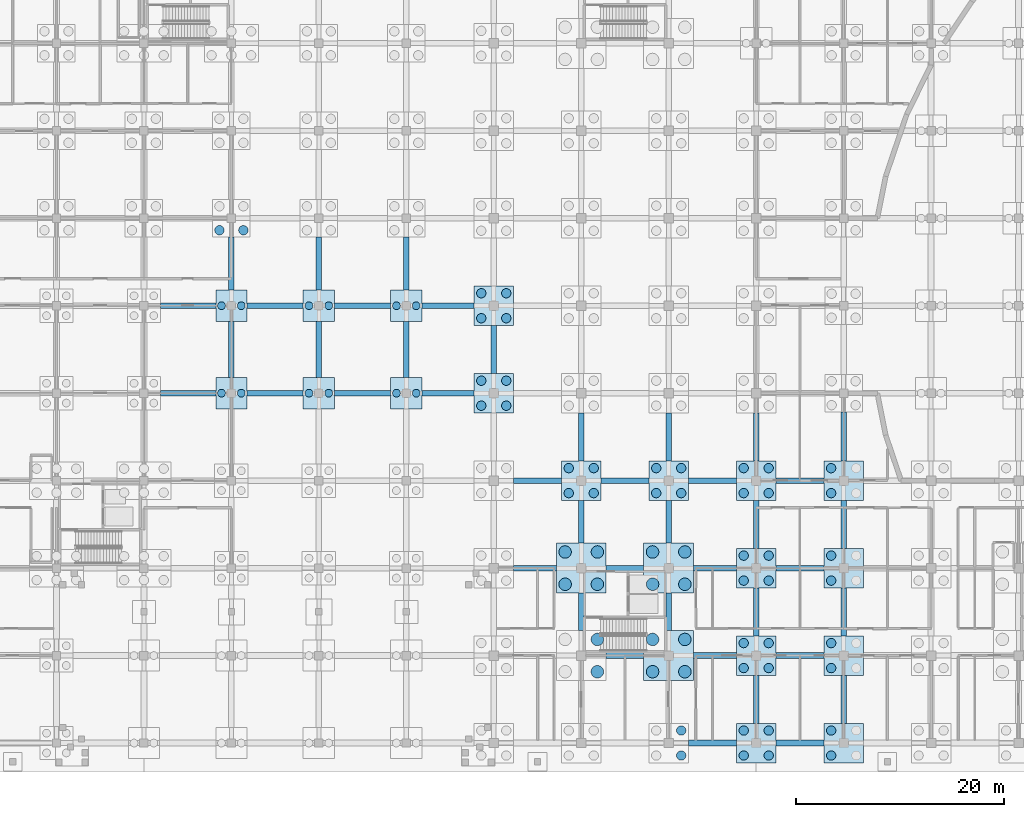
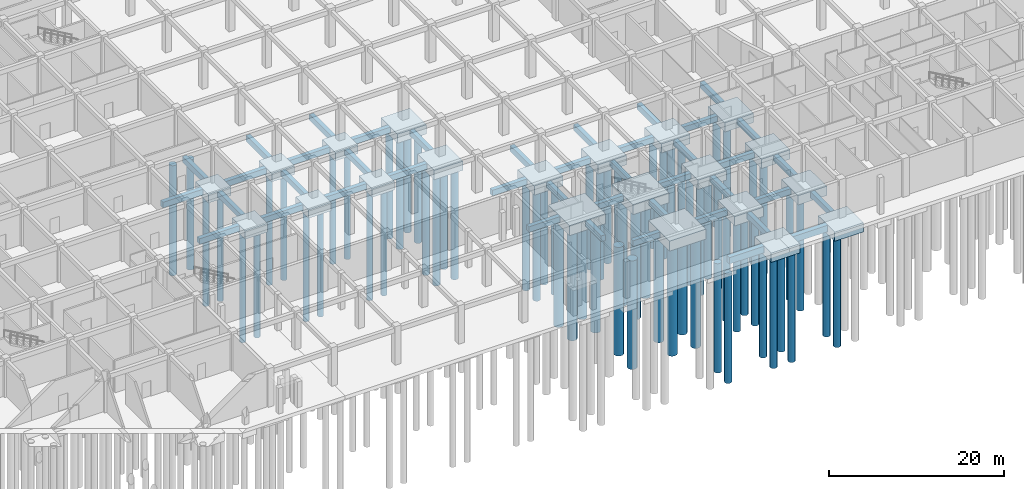
# One storey, part 5 of 65: 70 piles, 63 footings.
"""IFC4 building model written with IfcOpenShell, lengths in metres."""

from ifc_helpers import new_model, si_unit, direction, frame, origin, origin_2d, place, context, subcontext, project, spatial, rectangle, circle, extrude, material, material_profile, profile_set, type_object, element, save


model = new_model("IFC4")

# Units and contexts
model_context = context("Model", 3, precision=1e-05, world=origin(), true_north=direction((0.0, 1.0)))
body_context = subcontext(model_context, "Body", "Model", "MODEL_VIEW")
ifc_project = project(units=[si_unit("LENGTHUNIT", "METRE"), si_unit("AREAUNIT", "SQUARE_METRE"), si_unit("VOLUMEUNIT", "CUBIC_METRE"), si_unit("PLANEANGLEUNIT", "RADIAN"), si_unit("MASSUNIT", "GRAM", prefix="KILO")], contexts=[model_context])

# Site, building, storey
site_placement = place(None, origin())
site = spatial("IfcSite", under=ifc_project, at=site_placement, CompositionType="ELEMENT")
building_placement = place(site_placement, origin())
building = spatial("IfcBuilding", under=site, at=building_placement, Name="Bramfleet General Hospital", CompositionType="ELEMENT")
storey_placement = place(building_placement, frame((0.0, 0.0, -5.39990234375)))
storey = spatial("IfcBuildingStorey", under=building, at=storey_placement, Name="B1", CompositionType="ELEMENT", Elevation=-5.39990234375)

# Footings
ifc_material = material(Name="Concrete C35/45", Category="concrete")
ifc_material_profile_1 = material_profile(ifc_material, rectangle(XDim=0.550048828125, YDim=0.800048828125, at=origin_2d()), Name="RC FB 800x550")
ifc_profile_set_1 = profile_set([ifc_material_profile_1], Name="Concrete C35/45")
footing_type_1 = type_object("IfcFootingType", Name="FTG-FB-01", PredefinedType="FOOTING_BEAM", material=ifc_profile_set_1)
for number, where, z_axis, x_axis, name in (
    (1, (60.39990234375, 33.60009765625, -0.900146484375), (1.0, 0.0, 0.0), (0.0, 1.0, 0.0), "Foundation Tie Beam X 07-04"),
    (2, (60.39990234375, 42.0, -0.900146484375), (1.0, 0.0, 0.0), (0.0, 1.0, 0.0), "Foundation Tie Beam X 07-05"),
):
    element("IfcFooting", number, at=place(storey_placement, frame(where, z_axis=z_axis, x_axis=x_axis)), inside=storey, type_object=footing_type_1, Name=name, PredefinedType="FOOTING_BEAM", context=body_context, shape_type="SweptSolid", body=[
        extrude(rectangle(XDim=0.550048828125, YDim=0.800048828125, at=origin_2d()), origin(), (0.0, 0.0, 1.0), 5.300048828125),
    ])
footing_1_placement = place(storey_placement, frame((68.699951171875, 33.60009765625, -0.900146484375), z_axis=(1.0, 0.0, 0.0), x_axis=(0.0, 1.0, 0.0)))
element("IfcFooting", 3, at=footing_1_placement, inside=storey, type_object=footing_type_1, Name="Foundation Tie Beam X 08-04", PredefinedType="FOOTING_BEAM", context=body_context, shape_type="SweptSolid", body=[
    extrude(rectangle(XDim=0.550048828125, YDim=0.800048828125, at=origin_2d()), origin(), (0.0, 0.0, 1.0), 5.400146484375),
])
footing_2_placement = place(storey_placement, frame((67.199951171875, 35.10009765625, -0.900146484375), z_axis=(0.0, 1.0, 0.0), x_axis=(-1.0, 0.0, 0.0)))
element("IfcFooting", 4, at=footing_2_placement, inside=storey, type_object=footing_type_1, Name="Foundation Tie Beam Y 08-04", PredefinedType="FOOTING_BEAM", context=body_context, shape_type="SweptSolid", body=[
    extrude(rectangle(XDim=0.550048828125, YDim=0.800048828125, at=origin_2d()), origin(), (0.0, 0.0, 1.0), 5.39990234375),
])
footing_3_placement = place(storey_placement, frame((68.699951171875, 42.0, -0.900146484375), z_axis=(1.0, 0.0, 0.0), x_axis=(0.0, 1.0, 0.0)))
element("IfcFooting", 5, at=footing_3_placement, inside=storey, type_object=footing_type_1, Name="Foundation Tie Beam X 08-05", PredefinedType="FOOTING_BEAM", context=body_context, shape_type="SweptSolid", body=[
    extrude(rectangle(XDim=0.550048828125, YDim=0.800048828125, at=origin_2d()), origin(), (0.0, 0.0, 1.0), 5.400146484375),
])
footing_4_placement = place(storey_placement, frame((67.199951171875, 43.5, -0.900146484375), z_axis=(0.0, 1.0, 0.0), x_axis=(-1.0, 0.0, 0.0)))
element("IfcFooting", 6, at=footing_4_placement, inside=storey, type_object=footing_type_1, Name="Foundation Tie Beam Y 08-05", PredefinedType="FOOTING_BEAM", context=body_context, shape_type="SweptSolid", body=[
    extrude(rectangle(XDim=0.550048828125, YDim=0.800048828125, at=origin_2d()), origin(), (0.0, 0.0, 1.0), 5.10009765625),
])
for number, where, z_axis, x_axis, name in (
    (7, (77.10009765625, 33.60009765625, -0.900146484375), (1.0, 0.0, 0.0), (0.0, 1.0, 0.0), "Foundation Tie Beam X 09-04"),
    (8, (75.60009765625, 35.10009765625, -0.900146484375), (0.0, 1.0, 0.0), (-1.0, 0.0, 0.0), "Foundation Tie Beam Y 09-04"),
    (9, (77.10009765625, 42.0, -0.900146484375), (1.0, 0.0, 0.0), (0.0, 1.0, 0.0), "Foundation Tie Beam X 09-05"),
):
    element("IfcFooting", number, at=place(storey_placement, frame(where, z_axis=z_axis, x_axis=x_axis)), inside=storey, type_object=footing_type_1, Name=name, PredefinedType="FOOTING_BEAM", context=body_context, shape_type="SweptSolid", body=[
        extrude(rectangle(XDim=0.550048828125, YDim=0.800048828125, at=origin_2d()), origin(), (0.0, 0.0, 1.0), 5.39990234375),
    ])
footing_5_placement = place(storey_placement, frame((75.60009765625, 43.5, -0.900146484375), z_axis=(0.0, 1.0, 0.0), x_axis=(-1.0, 0.0, 0.0)))
element("IfcFooting", 10, at=footing_5_placement, inside=storey, type_object=footing_type_1, Name="Foundation Tie Beam Y 09-05", PredefinedType="FOOTING_BEAM", context=body_context, shape_type="SweptSolid", body=[
    extrude(rectangle(XDim=0.550048828125, YDim=0.800048828125, at=origin_2d()), origin(), (0.0, 0.0, 1.0), 5.10009765625),
])
footing_6_placement = place(storey_placement, frame((85.5, 33.60009765625, -0.900146484375), z_axis=(1.0, 0.0, 0.0), x_axis=(0.0, 1.0, 0.0)))
element("IfcFooting", 11, at=footing_6_placement, inside=storey, type_object=footing_type_1, Name="Foundation Tie Beam X 10-04", PredefinedType="FOOTING_BEAM", context=body_context, shape_type="SweptSolid", body=[
    extrude(rectangle(XDim=0.550048828125, YDim=0.800048828125, at=origin_2d()), origin(), (0.0, 0.0, 1.0), 5.0),
])
footing_7_placement = place(storey_placement, frame((84.0, 35.10009765625, -0.900146484375), z_axis=(0.0, 1.0, 0.0), x_axis=(-1.0, 0.0, 0.0)))
element("IfcFooting", 12, at=footing_7_placement, inside=storey, type_object=footing_type_1, Name="Foundation Tie Beam Y 10-04", PredefinedType="FOOTING_BEAM", context=body_context, shape_type="SweptSolid", body=[
    extrude(rectangle(XDim=0.550048828125, YDim=0.800048828125, at=origin_2d()), origin(), (0.0, 0.0, 1.0), 5.39990234375),
])
footing_8_placement = place(storey_placement, frame((85.5, 42.0, -0.900146484375), z_axis=(1.0, 0.0, 0.0), x_axis=(0.0, 1.0, 0.0)))
element("IfcFooting", 13, at=footing_8_placement, inside=storey, type_object=footing_type_1, Name="Foundation Tie Beam X 10-05", PredefinedType="FOOTING_BEAM", context=body_context, shape_type="SweptSolid", body=[
    extrude(rectangle(XDim=0.550048828125, YDim=0.800048828125, at=origin_2d()), origin(), (0.0, 0.0, 1.0), 5.0),
])
footing_9_placement = place(storey_placement, frame((84.0, 43.5, -0.900146484375), z_axis=(0.0, 1.0, 0.0), x_axis=(-1.0, 0.0, 0.0)))
element("IfcFooting", 14, at=footing_9_placement, inside=storey, type_object=footing_type_1, Name="Foundation Tie Beam Y 10-05", PredefinedType="FOOTING_BEAM", context=body_context, shape_type="SweptSolid", body=[
    extrude(rectangle(XDim=0.550048828125, YDim=0.800048828125, at=origin_2d()), origin(), (0.0, 0.0, 1.0), 5.10009765625),
])
footing_10_placement = place(storey_placement, frame((94.300048828125, 16.800048828125, -0.900146484375), z_axis=(1.0, 0.0, 0.0), x_axis=(0.0, 1.0, 0.0)))
element("IfcFooting", 15, at=footing_10_placement, inside=storey, type_object=footing_type_1, Name="Foundation Tie Beam X 11-02", PredefinedType="FOOTING_BEAM", context=body_context, shape_type="SweptSolid", body=[
    extrude(rectangle(XDim=0.550048828125, YDim=0.800048828125, at=origin_2d()), origin(), (0.0, 0.0, 1.0), 4.099853515625),
])
footing_11_placement = place(storey_placement, frame((94.300048828125, 25.199951171875, -0.900146484375), z_axis=(1.0, 0.0, 0.0), x_axis=(0.0, 1.0, 0.0)))
element("IfcFooting", 16, at=footing_11_placement, inside=storey, type_object=footing_type_1, Name="Foundation Tie Beam X 11-03", PredefinedType="FOOTING_BEAM", context=body_context, shape_type="SweptSolid", body=[
    extrude(rectangle(XDim=0.550048828125, YDim=0.800048828125, at=origin_2d()), origin(), (0.0, 0.0, 1.0), 4.599853515625),
])
footing_12_placement = place(storey_placement, frame((92.39990234375, 35.5, -0.900146484375), z_axis=(0.0, 1.0, 0.0), x_axis=(-1.0, 0.0, 0.0)))
element("IfcFooting", 17, at=footing_12_placement, inside=storey, type_object=footing_type_1, Name="Foundation Tie Beam Y 11-04", PredefinedType="FOOTING_BEAM", context=body_context, shape_type="SweptSolid", body=[
    extrude(rectangle(XDim=0.550048828125, YDim=0.800048828125, at=origin_2d()), origin(), (0.0, 0.0, 1.0), 4.60009765625),
])
footing_13_placement = place(storey_placement, frame((103.199951171875, 8.39990234375, -0.900146484375), z_axis=(1.0, 0.0, 0.0), x_axis=(0.0, 1.0, 0.0)))
element("IfcFooting", 18, at=footing_13_placement, inside=storey, type_object=footing_type_1, Name="Foundation Tie Beam X 12-01", PredefinedType="FOOTING_BEAM", context=body_context, shape_type="SweptSolid", body=[
    extrude(rectangle(XDim=0.550048828125, YDim=0.800048828125, at=origin_2d()), origin(), (0.0, 0.0, 1.0), 3.60009765625),
])
footing_14_placement = place(storey_placement, frame((100.800048828125, 10.800048828125, -0.900146484375), z_axis=(0.0, 1.0, 0.0), x_axis=(-1.0, 0.0, 0.0)))
element("IfcFooting", 19, at=footing_14_placement, inside=storey, type_object=footing_type_1, Name="Foundation Tie Beam Y 12-01", PredefinedType="FOOTING_BEAM", context=body_context, shape_type="SweptSolid", body=[
    extrude(rectangle(XDim=0.550048828125, YDim=0.800048828125, at=origin_2d()), origin(), (0.0, 0.0, 1.0), 3.599853515625),
])
footing_15_placement = place(storey_placement, frame((103.199951171875, 16.800048828125, -0.900146484375), z_axis=(1.0, 0.0, 0.0), x_axis=(0.0, 1.0, 0.0)))
element("IfcFooting", 20, at=footing_15_placement, inside=storey, type_object=footing_type_1, Name="Foundation Tie Beam X 12-02", PredefinedType="FOOTING_BEAM", context=body_context, shape_type="SweptSolid", body=[
    extrude(rectangle(XDim=0.550048828125, YDim=0.800048828125, at=origin_2d()), origin(), (0.0, 0.0, 1.0), 3.60009765625),
])
footing_16_placement = place(storey_placement, frame((100.800048828125, 19.199951171875, -0.900146484375), z_axis=(0.0, 1.0, 0.0), x_axis=(-1.0, 0.0, 0.0)))
element("IfcFooting", 21, at=footing_16_placement, inside=storey, type_object=footing_type_1, Name="Foundation Tie Beam Y 12-02", PredefinedType="FOOTING_BEAM", context=body_context, shape_type="SweptSolid", body=[
    extrude(rectangle(XDim=0.550048828125, YDim=0.800048828125, at=origin_2d()), origin(), (0.0, 0.0, 1.0), 4.10009765625),
])
footing_17_placement = place(storey_placement, frame((102.699951171875, 25.199951171875, -0.900146484375), z_axis=(1.0, 0.0, 0.0), x_axis=(0.0, 1.0, 0.0)))
element("IfcFooting", 22, at=footing_17_placement, inside=storey, type_object=footing_type_1, Name="Foundation Tie Beam X 12-03", PredefinedType="FOOTING_BEAM", context=body_context, shape_type="SweptSolid", body=[
    extrude(rectangle(XDim=0.550048828125, YDim=0.800048828125, at=origin_2d()), origin(), (0.0, 0.0, 1.0), 4.60009765625),
])
footing_18_placement = place(storey_placement, frame((100.800048828125, 27.10009765625, -0.900146484375), z_axis=(0.0, 1.0, 0.0), x_axis=(-1.0, 0.0, 0.0)))
element("IfcFooting", 23, at=footing_18_placement, inside=storey, type_object=footing_type_1, Name="Foundation Tie Beam Y 12-03", PredefinedType="FOOTING_BEAM", context=body_context, shape_type="SweptSolid", body=[
    extrude(rectangle(XDim=0.550048828125, YDim=0.800048828125, at=origin_2d()), origin(), (0.0, 0.0, 1.0), 4.599853515625),
])
footing_19_placement = place(storey_placement, frame((111.60009765625, 8.39990234375, -0.900146484375), z_axis=(1.0, 0.0, 0.0), x_axis=(0.0, 1.0, 0.0)))
element("IfcFooting", 24, at=footing_19_placement, inside=storey, type_object=footing_type_1, Name="Foundation Tie Beam X 13-01", PredefinedType="FOOTING_BEAM", context=body_context, shape_type="SweptSolid", body=[
    extrude(rectangle(XDim=0.550048828125, YDim=0.800048828125, at=origin_2d()), origin(), (0.0, 0.0, 1.0), 4.099853515625),
])
footing_20_placement = place(storey_placement, frame((109.199951171875, 10.800048828125, -0.900146484375), z_axis=(0.0, 1.0, 0.0), x_axis=(-1.0, 0.0, 0.0)))
element("IfcFooting", 25, at=footing_20_placement, inside=storey, type_object=footing_type_1, Name="Foundation Tie Beam Y 13-01", PredefinedType="FOOTING_BEAM", context=body_context, shape_type="SweptSolid", body=[
    extrude(rectangle(XDim=0.550048828125, YDim=0.800048828125, at=origin_2d()), origin(), (0.0, 0.0, 1.0), 3.599853515625),
])
footing_21_placement = place(storey_placement, frame((111.60009765625, 16.800048828125, -0.900146484375), z_axis=(1.0, 0.0, 0.0), x_axis=(0.0, 1.0, 0.0)))
element("IfcFooting", 26, at=footing_21_placement, inside=storey, type_object=footing_type_1, Name="Foundation Tie Beam X 13-02", PredefinedType="FOOTING_BEAM", context=body_context, shape_type="SweptSolid", body=[
    extrude(rectangle(XDim=0.550048828125, YDim=0.800048828125, at=origin_2d()), origin(), (0.0, 0.0, 1.0), 4.099853515625),
])
footing_22_placement = place(storey_placement, frame((109.199951171875, 19.199951171875, -0.900146484375), z_axis=(0.0, 1.0, 0.0), x_axis=(-1.0, 0.0, 0.0)))
element("IfcFooting", 27, at=footing_22_placement, inside=storey, type_object=footing_type_1, Name="Foundation Tie Beam Y 13-02", PredefinedType="FOOTING_BEAM", context=body_context, shape_type="SweptSolid", body=[
    extrude(rectangle(XDim=0.550048828125, YDim=0.800048828125, at=origin_2d()), origin(), (0.0, 0.0, 1.0), 4.10009765625),
])
for number, where, z_axis, x_axis, name in (
    (28, (111.10009765625, 25.199951171875, -0.900146484375), (1.0, 0.0, 0.0), (0.0, 1.0, 0.0), "Foundation Tie Beam X 13-03"),
    (29, (109.199951171875, 27.10009765625, -0.900146484375), (0.0, 1.0, 0.0), (-1.0, 0.0, 0.0), "Foundation Tie Beam Y 13-03"),
):
    element("IfcFooting", number, at=place(storey_placement, frame(where, z_axis=z_axis, x_axis=x_axis)), inside=storey, type_object=footing_type_1, Name=name, PredefinedType="FOOTING_BEAM", context=body_context, shape_type="SweptSolid", body=[
        extrude(rectangle(XDim=0.550048828125, YDim=0.800048828125, at=origin_2d()), origin(), (0.0, 0.0, 1.0), 4.599853515625),
    ])
for number, where, z_axis, x_axis, name in (
    (30, (117.60009765625, 1.89990234375, -0.900146484375), (0.0, 1.0, 0.0), (-1.0, 0.0, 0.0), "Foundation Tie Beam Y 14-00"),
    (31, (119.5, 8.39990234375, -0.900146484375), (1.0, 0.0, 0.0), (0.0, 1.0, 0.0), "Foundation Tie Beam X 14-01"),
):
    element("IfcFooting", number, at=place(storey_placement, frame(where, z_axis=z_axis, x_axis=x_axis)), inside=storey, type_object=footing_type_1, Name=name, PredefinedType="FOOTING_BEAM", context=body_context, shape_type="SweptSolid", body=[
        extrude(rectangle(XDim=0.550048828125, YDim=0.800048828125, at=origin_2d()), origin(), (0.0, 0.0, 1.0), 4.60009765625),
    ])
footing_23_placement = place(storey_placement, frame((117.60009765625, 10.300048828125, -0.900146484375), z_axis=(0.0, 1.0, 0.0), x_axis=(-1.0, 0.0, 0.0)))
element("IfcFooting", 32, at=footing_23_placement, inside=storey, type_object=footing_type_1, Name="Foundation Tie Beam Y 14-01", PredefinedType="FOOTING_BEAM", context=body_context, shape_type="SweptSolid", body=[
    extrude(rectangle(XDim=0.550048828125, YDim=0.800048828125, at=origin_2d()), origin(), (0.0, 0.0, 1.0), 4.599853515625),
])
for number, where, z_axis, x_axis, name in (
    (33, (119.5, 16.800048828125, -0.900146484375), (1.0, 0.0, 0.0), (0.0, 1.0, 0.0), "Foundation Tie Beam X 14-02"),
    (34, (117.60009765625, 18.699951171875, -0.900146484375), (0.0, 1.0, 0.0), (-1.0, 0.0, 0.0), "Foundation Tie Beam Y 14-02"),
    (35, (119.5, 25.199951171875, -0.900146484375), (1.0, 0.0, 0.0), (0.0, 1.0, 0.0), "Foundation Tie Beam X 14-03"),
):
    element("IfcFooting", number, at=place(storey_placement, frame(where, z_axis=z_axis, x_axis=x_axis)), inside=storey, type_object=footing_type_1, Name=name, PredefinedType="FOOTING_BEAM", context=body_context, shape_type="SweptSolid", body=[
        extrude(rectangle(XDim=0.550048828125, YDim=0.800048828125, at=origin_2d()), origin(), (0.0, 0.0, 1.0), 4.60009765625),
    ])
footing_24_placement = place(storey_placement, frame((117.60009765625, 27.10009765625, -0.900146484375), z_axis=(0.0, 1.0, 0.0), x_axis=(-1.0, 0.0, 0.0)))
element("IfcFooting", 36, at=footing_24_placement, inside=storey, type_object=footing_type_1, Name="Foundation Tie Beam Y 14-03", PredefinedType="FOOTING_BEAM", context=body_context, shape_type="SweptSolid", body=[
    extrude(rectangle(XDim=0.550048828125, YDim=0.800048828125, at=origin_2d()), origin(), (0.0, 0.0, 1.0), 4.599853515625),
])
footing_25_placement = place(storey_placement, frame((126.0, 1.89990234375, -0.900146484375), z_axis=(0.0, 1.0, 0.0), x_axis=(-1.0, 0.0, 0.0)))
element("IfcFooting", 37, at=footing_25_placement, inside=storey, type_object=footing_type_1, Name="Foundation Tie Beam Y 15-00", PredefinedType="FOOTING_BEAM", context=body_context, shape_type="SweptSolid", body=[
    extrude(rectangle(XDim=0.550048828125, YDim=0.800048828125, at=origin_2d()), origin(), (0.0, 0.0, 1.0), 4.60009765625),
])
footing_26_placement = place(storey_placement, frame((126.0, 10.300048828125, -0.900146484375), z_axis=(0.0, 1.0, 0.0), x_axis=(-1.0, 0.0, 0.0)))
element("IfcFooting", 38, at=footing_26_placement, inside=storey, type_object=footing_type_1, Name="Foundation Tie Beam Y 15-01", PredefinedType="FOOTING_BEAM", context=body_context, shape_type="SweptSolid", body=[
    extrude(rectangle(XDim=0.550048828125, YDim=0.800048828125, at=origin_2d()), origin(), (0.0, 0.0, 1.0), 4.599853515625),
])
footing_27_placement = place(storey_placement, frame((126.0, 18.699951171875, -0.900146484375), z_axis=(0.0, 1.0, 0.0), x_axis=(-1.0, 0.0, 0.0)))
element("IfcFooting", 39, at=footing_27_placement, inside=storey, type_object=footing_type_1, Name="Foundation Tie Beam Y 15-02", PredefinedType="FOOTING_BEAM", context=body_context, shape_type="SweptSolid", body=[
    extrude(rectangle(XDim=0.550048828125, YDim=0.800048828125, at=origin_2d()), origin(), (0.0, 0.0, 1.0), 4.60009765625),
])
footing_28_placement = place(storey_placement, frame((126.0, 27.10009765625, -0.900146484375), z_axis=(0.0, 1.0, 0.0), x_axis=(-1.0, 0.0, 0.0)))
element("IfcFooting", 40, at=footing_28_placement, inside=storey, type_object=footing_type_1, Name="Foundation Tie Beam Y 15-03", PredefinedType="FOOTING_BEAM", context=body_context, shape_type="SweptSolid", body=[
    extrude(rectangle(XDim=0.550048828125, YDim=0.800048828125, at=origin_2d()), origin(), (0.0, 0.0, 1.0), 4.699951171875),
])
ifc_material_profile_2 = material_profile(ifc_material, rectangle(XDim=0.60009765625, YDim=0.89990234375, at=origin_2d()), Name="RC FB 900x600")
ifc_profile_set_2 = profile_set([ifc_material_profile_2], Name="Concrete C35/45")
footing_type_2 = type_object("IfcFootingType", Name="FTG-FB-02", PredefinedType="FOOTING_BEAM", material=ifc_profile_set_2)
footing_29_placement = place(storey_placement, frame((111.10009765625, 0.0, -0.9501953125), z_axis=(1.0, 0.0, 0.0), x_axis=(0.0, 1.0, 0.0)))
element("IfcFooting", 41, at=footing_29_placement, inside=storey, type_object=footing_type_2, Name="Foundation Tie Beam X 13-00", PredefinedType="FOOTING_BEAM", context=body_context, shape_type="SweptSolid", body=[
    extrude(rectangle(XDim=0.60009765625, YDim=0.89990234375, at=origin_2d()), origin(), (0.0, 0.0, 1.0), 4.599853515625),
])
footing_30_placement = place(storey_placement, frame((119.5, 0.0, -0.9501953125), z_axis=(1.0, 0.0, 0.0), x_axis=(0.0, 1.0, 0.0)))
element("IfcFooting", 42, at=footing_30_placement, inside=storey, type_object=footing_type_2, Name="Foundation Tie Beam X 14-00", PredefinedType="FOOTING_BEAM", context=body_context, shape_type="SweptSolid", body=[
    extrude(rectangle(XDim=0.60009765625, YDim=0.89990234375, at=origin_2d()), origin(), (0.0, 0.0, 1.0), 4.60009765625),
])
footing_type_3 = type_object("IfcFootingType", Name="FTG-PC-01", PredefinedType="PILE_CAP", material=ifc_material)
for number, where, z_axis, x_axis, name in (
    (43, (67.199951171875, 33.60009765625, -1.7001953125), (0.0, 0.0, 1.0), (1.0, 0.0, 0.0), "Pile Cap FTG-B1-08-04"),
    (44, (67.199951171875, 42.0, -1.7001953125), (0.0, 0.0, 1.0), (1.0, 0.0, 0.0), "Pile Cap FTG-B1-08-05"),
    (45, (75.60009765625, 33.60009765625, -1.7001953125), (0.0, 0.0, 1.0), (1.0, 0.0, 0.0), "Pile Cap FTG-B1-09-04"),
    (46, (75.60009765625, 42.0, -1.7001953125), (0.0, 0.0, 1.0), (1.0, 0.0, 0.0), "Pile Cap FTG-B1-09-05"),
    (47, (84.0, 33.60009765625, -1.7001953125), (0.0, 0.0, 1.0), (1.0, 0.0, 0.0), "Pile Cap FTG-B1-10-04"),
    (48, (84.0, 42.0, -1.7001953125), (0.0, 0.0, 1.0), (1.0, 0.0, 0.0), "Pile Cap FTG-B1-10-05"),
):
    element("IfcFooting", number, at=place(storey_placement, frame(where, z_axis=z_axis, x_axis=x_axis)), inside=storey, type_object=footing_type_3, Name=name, PredefinedType="PILE_CAP", context=body_context, shape_type="SweptSolid", body=[
        extrude(rectangle(XDim=3.0, YDim=3.0, at=origin_2d()), origin(), (0.0, 0.0, 1.0), 1.199951171875),
    ])
footing_type_4 = type_object("IfcFootingType", Name="FTG-PC-04", PredefinedType="PILE_CAP", material=ifc_material)
for number, where, z_axis, x_axis, name in (
    (49, (92.39990234375, 33.60009765625, -1.80029296875), (0.0, 0.0, 1.0), (1.0, 0.0, 0.0), "Pile Cap FTG-B1-11-04"),
    (50, (92.39990234375, 42.0, -1.80029296875), (0.0, 0.0, 1.0), (1.0, 0.0, 0.0), "Pile Cap FTG-B1-11-05"),
    (51, (100.800048828125, 25.199951171875, -1.80029296875), (0.0, 0.0, 1.0), (1.0, 0.0, 0.0), "Pile Cap FTG-B1-12-03"),
    (52, (109.199951171875, 25.199951171875, -1.80029296875), (0.0, 0.0, 1.0), (1.0, 0.0, 0.0), "Pile Cap FTG-B1-13-03"),
    (53, (117.60009765625, 0.0, -1.80029296875), (0.0, 0.0, 1.0), (1.0, 0.0, 0.0), "Pile Cap FTG-B1-14-00"),
    (54, (117.60009765625, 8.39990234375, -1.80029296875), (0.0, 0.0, 1.0), (1.0, 0.0, 0.0), "Pile Cap FTG-B1-14-01"),
    (55, (117.60009765625, 16.800048828125, -1.80029296875), (0.0, 0.0, 1.0), (1.0, 0.0, 0.0), "Pile Cap FTG-B1-14-02"),
    (56, (117.60009765625, 25.199951171875, -1.80029296875), (0.0, 0.0, 1.0), (1.0, 0.0, 0.0), "Pile Cap FTG-B1-14-03"),
    (57, (126.0, 0.0, -1.80029296875), (0.0, 0.0, 1.0), (1.0, 0.0, 0.0), "Pile Cap FTG-B1-15-00"),
    (58, (126.0, 8.39990234375, -1.80029296875), (0.0, 0.0, 1.0), (1.0, 0.0, 0.0), "Pile Cap FTG-B1-15-01"),
    (59, (126.0, 16.800048828125, -1.80029296875), (0.0, 0.0, 1.0), (1.0, 0.0, 0.0), "Pile Cap FTG-B1-15-02"),
    (60, (126.0, 25.199951171875, -1.80029296875), (0.0, 0.0, 1.0), (1.0, 0.0, 0.0), "Pile Cap FTG-B1-15-03"),
):
    element("IfcFooting", number, at=place(storey_placement, frame(where, z_axis=z_axis, x_axis=x_axis)), inside=storey, type_object=footing_type_4, Name=name, PredefinedType="PILE_CAP", context=body_context, shape_type="SweptSolid", body=[
        extrude(rectangle(XDim=3.800048828125, YDim=3.800048828125, at=origin_2d()), origin(), (0.0, 0.0, 1.0), 1.300048828125),
    ])
footing_type_5 = type_object("IfcFootingType", Name="FTG-PC-05", PredefinedType="PILE_CAP", material=ifc_material)
for number, where, z_axis, x_axis, name in (
    (61, (100.800048828125, 16.800048828125, -1.900146484375), (0.0, 0.0, 1.0), (1.0, 0.0, 0.0), "Pile Cap FTG-B1-12-02"),
    (62, (109.199951171875, 8.39990234375, -1.900146484375), (0.0, 0.0, 1.0), (1.0, 0.0, 0.0), "Pile Cap FTG-B1-13-01"),
    (63, (109.199951171875, 16.800048828125, -1.900146484375), (0.0, 0.0, 1.0), (1.0, 0.0, 0.0), "Pile Cap FTG-B1-13-02"),
):
    element("IfcFooting", number, at=place(storey_placement, frame(where, z_axis=z_axis, x_axis=x_axis)), inside=storey, type_object=footing_type_5, Name=name, PredefinedType="PILE_CAP", context=body_context, shape_type="SweptSolid", body=[
        extrude(rectangle(XDim=4.800048828125, YDim=4.800048828125, at=origin_2d()), origin(), (0.0, 0.0, 1.0), 1.39990234375),
    ])

# Piles
ifc_material_profile_3 = material_profile(ifc_material, circle(Radius=0.60009765625, at=origin_2d()), Name="PILE BORED D1200")
ifc_profile_set_3 = profile_set([ifc_material_profile_3], Name="Concrete C35/45")
pile_type_1 = type_object("IfcPileType", Name="PILE-D1200", PredefinedType="BORED", material=ifc_profile_set_3)
for number, where, z_axis, x_axis, name in (
    (64, (102.35009765625, 6.85009765625, -1.800048828125), (0.0, 0.0, -1.0), (1.0, 0.0, 0.0), "Bored Pile PILE-B1-12-01-2"),
    (65, (102.35009765625, 9.949951171875, -1.800048828125), (0.0, 0.0, -1.0), (1.0, 0.0, 0.0), "Bored Pile PILE-B1-12-01-4"),
    (66, (99.25, 15.25, -1.800048828125), (0.0, 0.0, -1.0), (1.0, 0.0, 0.0), "Bored Pile PILE-B1-12-02-1"),
    (67, (102.35009765625, 15.25, -1.800048828125), (0.0, 0.0, -1.0), (1.0, 0.0, 0.0), "Bored Pile PILE-B1-12-02-2"),
    (68, (99.25, 18.35009765625, -1.800048828125), (0.0, 0.0, -1.0), (1.0, 0.0, 0.0), "Bored Pile PILE-B1-12-02-3"),
    (69, (102.35009765625, 18.35009765625, -1.800048828125), (0.0, 0.0, -1.0), (1.0, 0.0, 0.0), "Bored Pile PILE-B1-12-02-4"),
    (70, (107.64990234375, 6.85009765625, -1.800048828125), (0.0, 0.0, -1.0), (1.0, 0.0, 0.0), "Bored Pile PILE-B1-13-01-1"),
    (71, (110.75, 6.85009765625, -1.800048828125), (0.0, 0.0, -1.0), (1.0, 0.0, 0.0), "Bored Pile PILE-B1-13-01-2"),
    (72, (107.64990234375, 9.949951171875, -1.800048828125), (0.0, 0.0, -1.0), (1.0, 0.0, 0.0), "Bored Pile PILE-B1-13-01-3"),
    (73, (110.75, 9.949951171875, -1.800048828125), (0.0, 0.0, -1.0), (1.0, 0.0, 0.0), "Bored Pile PILE-B1-13-01-4"),
    (74, (107.64990234375, 15.25, -1.800048828125), (0.0, 0.0, -1.0), (1.0, 0.0, 0.0), "Bored Pile PILE-B1-13-02-1"),
    (75, (110.75, 15.25, -1.800048828125), (0.0, 0.0, -1.0), (1.0, 0.0, 0.0), "Bored Pile PILE-B1-13-02-2"),
    (76, (107.64990234375, 18.35009765625, -1.800048828125), (0.0, 0.0, -1.0), (1.0, 0.0, 0.0), "Bored Pile PILE-B1-13-02-3"),
    (77, (110.75, 18.35009765625, -1.800048828125), (0.0, 0.0, -1.0), (1.0, 0.0, 0.0), "Bored Pile PILE-B1-13-02-4"),
):
    element("IfcPile", number, at=place(storey_placement, frame(where, z_axis=z_axis, x_axis=x_axis)), inside=storey, type_object=pile_type_1, Name=name, PredefinedType="BORED", context=body_context, shape_type="SweptSolid", body=[
        extrude(circle(Radius=0.60009765625, at=origin_2d()), origin(), (0.0, 0.0, 1.0), 15.199951171875),
    ])
ifc_material_profile_4 = material_profile(ifc_material, circle(Radius=0.375, at=origin_2d()), Name="PILE BORED D750")
ifc_profile_set_4 = profile_set([ifc_material_profile_4], Name="Concrete C35/45")
pile_type_2 = type_object("IfcPileType", Name="PILE-D750", PredefinedType="BORED", material=ifc_profile_set_4)
for number, where, z_axis, x_axis, name in (
    (78, (66.25, 33.60009765625, -1.60009765625), (0.0, 0.0, -1.0), (1.0, 0.0, 0.0), "Bored Pile PILE-B1-08-04-1"),
    (79, (68.14990234375, 33.60009765625, -1.60009765625), (0.0, 0.0, -1.0), (1.0, 0.0, 0.0), "Bored Pile PILE-B1-08-04-2"),
    (80, (66.25, 42.0, -1.60009765625), (0.0, 0.0, -1.0), (1.0, 0.0, 0.0), "Bored Pile PILE-B1-08-05-1"),
    (81, (68.14990234375, 42.0, -1.60009765625), (0.0, 0.0, -1.0), (1.0, 0.0, 0.0), "Bored Pile PILE-B1-08-05-2"),
    (82, (74.64990234375, 33.60009765625, -1.60009765625), (0.0, 0.0, -1.0), (1.0, 0.0, 0.0), "Bored Pile PILE-B1-09-04-1"),
    (83, (76.550048828125, 33.60009765625, -1.60009765625), (0.0, 0.0, -1.0), (1.0, 0.0, 0.0), "Bored Pile PILE-B1-09-04-2"),
    (84, (74.64990234375, 42.0, -1.60009765625), (0.0, 0.0, -1.0), (1.0, 0.0, 0.0), "Bored Pile PILE-B1-09-05-1"),
    (85, (76.550048828125, 42.0, -1.60009765625), (0.0, 0.0, -1.0), (1.0, 0.0, 0.0), "Bored Pile PILE-B1-09-05-2"),
    (86, (83.050048828125, 33.60009765625, -1.60009765625), (0.0, 0.0, -1.0), (1.0, 0.0, 0.0), "Bored Pile PILE-B1-10-04-1"),
    (87, (84.949951171875, 33.60009765625, -1.60009765625), (0.0, 0.0, -1.0), (1.0, 0.0, 0.0), "Bored Pile PILE-B1-10-04-2"),
    (88, (83.050048828125, 42.0, -1.60009765625), (0.0, 0.0, -1.0), (1.0, 0.0, 0.0), "Bored Pile PILE-B1-10-05-1"),
    (89, (84.949951171875, 42.0, -1.60009765625), (0.0, 0.0, -1.0), (1.0, 0.0, 0.0), "Bored Pile PILE-B1-10-05-2"),
):
    element("IfcPile", number, at=place(storey_placement, frame(where, z_axis=z_axis, x_axis=x_axis)), inside=storey, type_object=pile_type_2, Name=name, PredefinedType="BORED", context=body_context, shape_type="SweptSolid", body=[
        extrude(circle(Radius=0.375, at=origin_2d()), origin(), (0.0, 0.0, 1.0), 15.39990234375),
    ])
ifc_material_profile_5 = material_profile(ifc_material, circle(Radius=0.449951171875, at=origin_2d()), Name="PILE BORED D900")
ifc_profile_set_5 = profile_set([ifc_material_profile_5], Name="Concrete C35/45")
pile_type_3 = type_object("IfcPileType", Name="PILE-D900", PredefinedType="BORED", material=ifc_profile_set_5)
for number, where, z_axis, x_axis, name in (
    (90, (66.050048828125, 49.25, -1.60009765625), (0.0, 0.0, -1.0), (1.0, 0.0, 0.0), "Bored Pile PILE-B1-08-06-1"),
    (91, (68.35009765625, 49.25, -1.60009765625), (0.0, 0.0, -1.0), (1.0, 0.0, 0.0), "Bored Pile PILE-B1-08-06-2"),
):
    element("IfcPile", number, at=place(storey_placement, frame(where, z_axis=z_axis, x_axis=x_axis)), inside=storey, type_object=pile_type_3, Name=name, PredefinedType="BORED", context=body_context, shape_type="SweptSolid", body=[
        extrude(circle(Radius=0.449951171875, at=origin_2d()), origin(), (0.0, 0.0, 1.0), 15.39990234375),
    ])
for number, where, z_axis, x_axis, name in (
    (92, (91.199951171875, 32.39990234375, -1.7001953125), (0.0, 0.0, -1.0), (1.0, 0.0, 0.0), "Bored Pile PILE-B1-11-04-1"),
    (93, (93.60009765625, 32.39990234375, -1.7001953125), (0.0, 0.0, -1.0), (1.0, 0.0, 0.0), "Bored Pile PILE-B1-11-04-2"),
    (94, (91.199951171875, 34.800048828125, -1.7001953125), (0.0, 0.0, -1.0), (1.0, 0.0, 0.0), "Bored Pile PILE-B1-11-04-3"),
    (95, (93.60009765625, 34.800048828125, -1.7001953125), (0.0, 0.0, -1.0), (1.0, 0.0, 0.0), "Bored Pile PILE-B1-11-04-4"),
    (96, (91.199951171875, 40.800048828125, -1.7001953125), (0.0, 0.0, -1.0), (1.0, 0.0, 0.0), "Bored Pile PILE-B1-11-05-1"),
    (97, (93.60009765625, 40.800048828125, -1.7001953125), (0.0, 0.0, -1.0), (1.0, 0.0, 0.0), "Bored Pile PILE-B1-11-05-2"),
    (98, (91.199951171875, 43.199951171875, -1.7001953125), (0.0, 0.0, -1.0), (1.0, 0.0, 0.0), "Bored Pile PILE-B1-11-05-3"),
    (99, (93.60009765625, 43.199951171875, -1.7001953125), (0.0, 0.0, -1.0), (1.0, 0.0, 0.0), "Bored Pile PILE-B1-11-05-4"),
    (100, (99.60009765625, 24.0, -1.7001953125), (0.0, 0.0, -1.0), (1.0, 0.0, 0.0), "Bored Pile PILE-B1-12-03-1"),
    (101, (102.0, 24.0, -1.7001953125), (0.0, 0.0, -1.0), (1.0, 0.0, 0.0), "Bored Pile PILE-B1-12-03-2"),
    (102, (99.60009765625, 26.39990234375, -1.7001953125), (0.0, 0.0, -1.0), (1.0, 0.0, 0.0), "Bored Pile PILE-B1-12-03-3"),
    (103, (102.0, 26.39990234375, -1.7001953125), (0.0, 0.0, -1.0), (1.0, 0.0, 0.0), "Bored Pile PILE-B1-12-03-4"),
    (104, (110.39990234375, -1.199951171875, -1.7001953125), (0.0, 0.0, -1.0), (1.0, 0.0, 0.0), "Bored Pile PILE-B1-13-00-2"),
    (105, (110.39990234375, 1.199951171875, -1.7001953125), (0.0, 0.0, -1.0), (1.0, 0.0, 0.0), "Bored Pile PILE-B1-13-00-4"),
    (106, (108.0, 24.0, -1.7001953125), (0.0, 0.0, -1.0), (1.0, 0.0, 0.0), "Bored Pile PILE-B1-13-03-1"),
    (107, (110.39990234375, 24.0, -1.7001953125), (0.0, 0.0, -1.0), (1.0, 0.0, 0.0), "Bored Pile PILE-B1-13-03-2"),
    (108, (108.0, 26.39990234375, -1.7001953125), (0.0, 0.0, -1.0), (1.0, 0.0, 0.0), "Bored Pile PILE-B1-13-03-3"),
    (109, (110.39990234375, 26.39990234375, -1.7001953125), (0.0, 0.0, -1.0), (1.0, 0.0, 0.0), "Bored Pile PILE-B1-13-03-4"),
    (110, (116.39990234375, -1.199951171875, -1.7001953125), (0.0, 0.0, -1.0), (1.0, 0.0, 0.0), "Bored Pile PILE-B1-14-00-1"),
    (111, (118.800048828125, -1.199951171875, -1.7001953125), (0.0, 0.0, -1.0), (1.0, 0.0, 0.0), "Bored Pile PILE-B1-14-00-2"),
    (112, (116.39990234375, 1.199951171875, -1.7001953125), (0.0, 0.0, -1.0), (1.0, 0.0, 0.0), "Bored Pile PILE-B1-14-00-3"),
    (113, (118.800048828125, 1.199951171875, -1.7001953125), (0.0, 0.0, -1.0), (1.0, 0.0, 0.0), "Bored Pile PILE-B1-14-00-4"),
    (114, (116.39990234375, 7.199951171875, -1.7001953125), (0.0, 0.0, -1.0), (1.0, 0.0, 0.0), "Bored Pile PILE-B1-14-01-1"),
    (115, (118.800048828125, 7.199951171875, -1.7001953125), (0.0, 0.0, -1.0), (1.0, 0.0, 0.0), "Bored Pile PILE-B1-14-01-2"),
    (116, (116.39990234375, 9.60009765625, -1.7001953125), (0.0, 0.0, -1.0), (1.0, 0.0, 0.0), "Bored Pile PILE-B1-14-01-3"),
    (117, (118.800048828125, 9.60009765625, -1.7001953125), (0.0, 0.0, -1.0), (1.0, 0.0, 0.0), "Bored Pile PILE-B1-14-01-4"),
    (118, (116.39990234375, 15.60009765625, -1.7001953125), (0.0, 0.0, -1.0), (1.0, 0.0, 0.0), "Bored Pile PILE-B1-14-02-1"),
    (119, (118.800048828125, 15.60009765625, -1.7001953125), (0.0, 0.0, -1.0), (1.0, 0.0, 0.0), "Bored Pile PILE-B1-14-02-2"),
    (120, (116.39990234375, 18.0, -1.7001953125), (0.0, 0.0, -1.0), (1.0, 0.0, 0.0), "Bored Pile PILE-B1-14-02-3"),
    (121, (118.800048828125, 18.0, -1.7001953125), (0.0, 0.0, -1.0), (1.0, 0.0, 0.0), "Bored Pile PILE-B1-14-02-4"),
    (122, (116.39990234375, 24.0, -1.7001953125), (0.0, 0.0, -1.0), (1.0, 0.0, 0.0), "Bored Pile PILE-B1-14-03-1"),
    (123, (118.800048828125, 24.0, -1.7001953125), (0.0, 0.0, -1.0), (1.0, 0.0, 0.0), "Bored Pile PILE-B1-14-03-2"),
    (124, (116.39990234375, 26.39990234375, -1.7001953125), (0.0, 0.0, -1.0), (1.0, 0.0, 0.0), "Bored Pile PILE-B1-14-03-3"),
    (125, (118.800048828125, 26.39990234375, -1.7001953125), (0.0, 0.0, -1.0), (1.0, 0.0, 0.0), "Bored Pile PILE-B1-14-03-4"),
    (126, (124.800048828125, -1.199951171875, -1.7001953125), (0.0, 0.0, -1.0), (1.0, 0.0, 0.0), "Bored Pile PILE-B1-15-00-1"),
    (127, (124.800048828125, 1.199951171875, -1.7001953125), (0.0, 0.0, -1.0), (1.0, 0.0, 0.0), "Bored Pile PILE-B1-15-00-3"),
    (128, (124.800048828125, 7.199951171875, -1.7001953125), (0.0, 0.0, -1.0), (1.0, 0.0, 0.0), "Bored Pile PILE-B1-15-01-1"),
    (129, (124.800048828125, 9.60009765625, -1.7001953125), (0.0, 0.0, -1.0), (1.0, 0.0, 0.0), "Bored Pile PILE-B1-15-01-3"),
    (130, (124.800048828125, 15.60009765625, -1.7001953125), (0.0, 0.0, -1.0), (1.0, 0.0, 0.0), "Bored Pile PILE-B1-15-02-1"),
    (131, (124.800048828125, 18.0, -1.7001953125), (0.0, 0.0, -1.0), (1.0, 0.0, 0.0), "Bored Pile PILE-B1-15-02-3"),
    (132, (124.800048828125, 24.0, -1.7001953125), (0.0, 0.0, -1.0), (1.0, 0.0, 0.0), "Bored Pile PILE-B1-15-03-1"),
    (133, (124.800048828125, 26.39990234375, -1.7001953125), (0.0, 0.0, -1.0), (1.0, 0.0, 0.0), "Bored Pile PILE-B1-15-03-3"),
):
    element("IfcPile", number, at=place(storey_placement, frame(where, z_axis=z_axis, x_axis=x_axis)), inside=storey, type_object=pile_type_3, Name=name, PredefinedType="BORED", context=body_context, shape_type="SweptSolid", body=[
        extrude(circle(Radius=0.449951171875, at=origin_2d()), origin(), (0.0, 0.0, 1.0), 15.300048828125),
    ])

save(model, "model.ifc")
